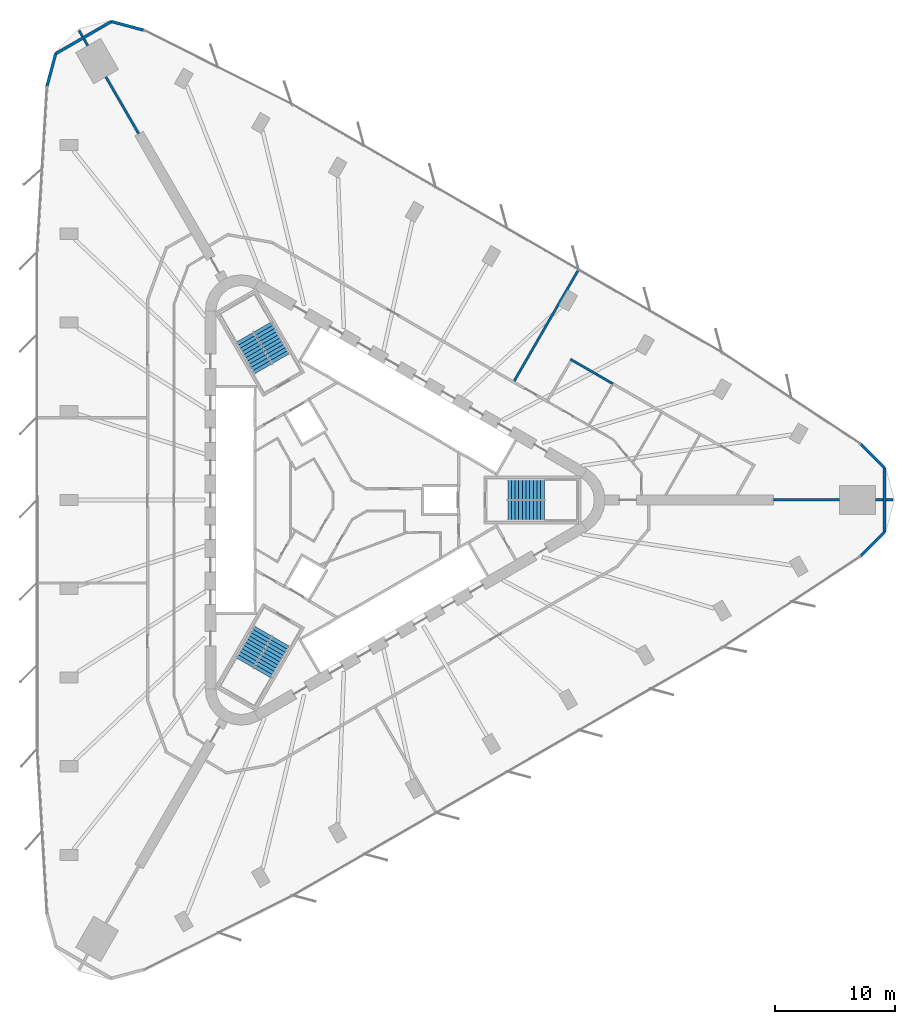
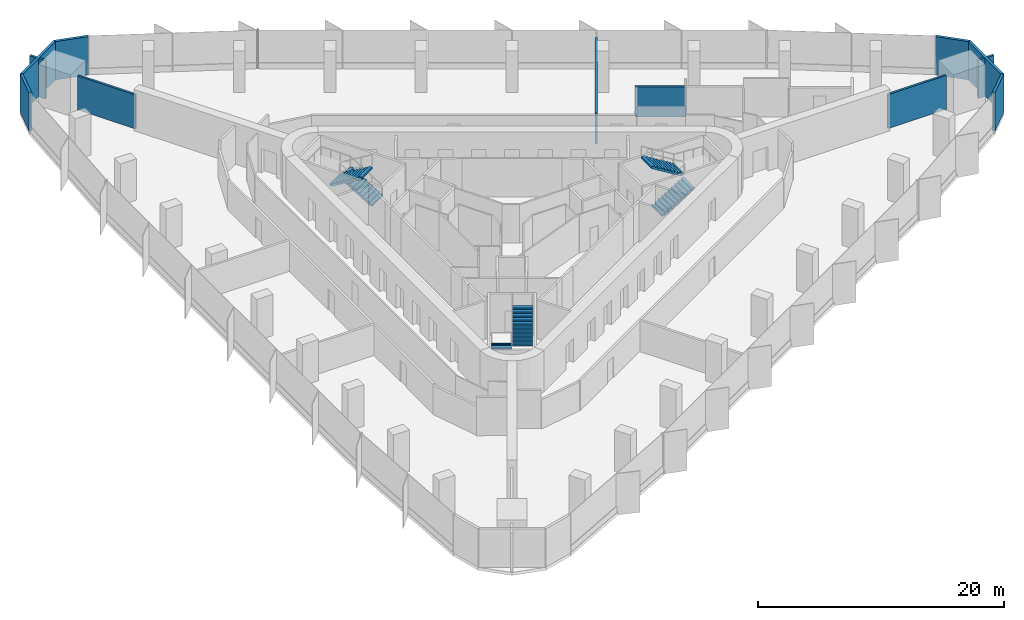
# One storey, part 13 of 14: 14 walls, 6 stair flights, 3 elements without a shape of their own.
"""IFC4 building model written with IfcOpenShell, lengths in metres."""

from ifc_helpers import new_model, si_unit, direction, frame, frame_2d, origin, place, context, subcontext, project, spatial, polyline, rectangle, outline, extrude, material, layer, layer_set, type_object, element, aggregate, save


model = new_model("IFC4")

# Units and contexts
model_context = context("Model", 3, precision=1e-05, world=origin(), true_north=direction((0.0, 1.0)))
body_context = subcontext(model_context, "Body", "Model", "MODEL_VIEW")
ifc_project = project(units=[si_unit("LENGTHUNIT", "METRE"), si_unit("AREAUNIT", "SQUARE_METRE"), si_unit("VOLUMEUNIT", "CUBIC_METRE"), si_unit("PLANEANGLEUNIT", "RADIAN"), si_unit("MASSUNIT", "GRAM", prefix="KILO")], contexts=[model_context])

# Site, building, storey
site_placement = place(None, origin())
site = spatial("IfcSite", under=ifc_project, at=site_placement, CompositionType="ELEMENT")
building_placement = place(site_placement, origin())
building = spatial("IfcBuilding", under=site, at=building_placement, Name="Tanit Gate Tower", CompositionType="ELEMENT")
storey_placement = place(building_placement, frame((0.0, 0.0, 45.5)))
storey = spatial("IfcBuildingStorey", under=building, at=storey_placement, Name="L07", CompositionType="ELEMENT", Elevation=45.5)

# Walls
ifc_material_1 = material(Name="Concrete C30/37 with bronze anodised aluminium cladding", Category="concrete")
ifc_layer_1 = layer(ifc_material_1, 0.239990234375)
ifc_layer_set_1 = layer_set([ifc_layer_1], Name="Facade wall bronze clad 240")
wall_type_1 = type_object("IfcWallType", Name="Facade wall bronze clad 240", PredefinedType="SOLIDWALL", material=ifc_layer_set_1)
wall_1_placement = place(storey_placement, frame((-17.202880859375, 39.1279296875, 0.0), z_axis=(0.0, 0.0, 1.0), x_axis=(-0.965923146675, 0.25882904535, 0.0)))
element("IfcWall", 1, at=wall_1_placement, inside=storey, type_object=wall_type_1, Name="Bronze-clad facade wall L07 NW.arc1", PredefinedType="SOLIDWALL", context=body_context, shape_type="SweptSolid", body=[
    extrude(rectangle(XDim=2.800537109375, YDim=0.239990234375, at=frame_2d((1.400390625, 0.0))), origin(), (0.0, 0.0, 1.0), 3.800048828125),
])
wall_2_placement = place(storey_placement, frame((-19.907958984375, 39.852783203125, 0.0), z_axis=(0.0, 0.0, 1.0), x_axis=(-0.866010734295, -0.500025407441, 0.0)))
element("IfcWall", 2, at=wall_2_placement, inside=storey, type_object=wall_type_1, Name="Bronze-clad facade wall L07 NW.arc2", PredefinedType="SOLIDWALL", context=body_context, shape_type="SweptSolid", body=[
    extrude(rectangle(XDim=5.371337890625, YDim=0.239990234375, at=frame_2d((2.685546875, 0.0))), origin(), (0.0, 0.0, 1.0), 3.800048828125),
])
wall_3_placement = place(storey_placement, frame((-24.5595703125, 37.1669921875, 0.0), z_axis=(0.0, 0.0, 1.0), x_axis=(-0.258850842196, -0.965917305723, 0.0)))
element("IfcWall", 3, at=wall_3_placement, inside=storey, type_object=wall_type_1, Name="Bronze-clad facade wall L07 NW.arc3", PredefinedType="SOLIDWALL", context=body_context, shape_type="SweptSolid", body=[
    extrude(rectangle(XDim=2.80029296875, YDim=0.239990234375, at=frame_2d((1.400146484375, 0.0))), origin(), (0.0, 0.0, 1.0), 3.800048828125),
])
wall_4_placement = place(storey_placement, frame((42.4873046875, -4.665771484375, 0.0), z_axis=(0.0, 0.0, 1.0), x_axis=(0.707106781187, 0.707106781187, 0.0)))
element("IfcWall", 4, at=wall_4_placement, inside=storey, type_object=wall_type_1, Name="Bronze-clad facade wall L07 E.arc1", PredefinedType="SOLIDWALL", context=body_context, shape_type="SweptSolid", body=[
    extrude(rectangle(XDim=2.800537109375, YDim=0.239990234375, at=frame_2d((1.400390625, 0.0))), origin(), (0.0, 0.0, 1.0), 3.800048828125),
])
wall_5_placement = place(storey_placement, frame((44.467529296875, -2.685546875, 0.0), z_axis=(0.0, 0.0, 1.0), x_axis=(0.0, 1.0, 0.0)))
element("IfcWall", 5, at=wall_5_placement, inside=storey, type_object=wall_type_1, Name="Bronze-clad facade wall L07 E.arc2", PredefinedType="SOLIDWALL", context=body_context, shape_type="SweptSolid", body=[
    extrude(rectangle(XDim=5.37109375, YDim=0.239990234375, at=frame_2d((2.685546875, 0.0))), origin(), (0.0, 0.0, 1.0), 3.800048828125),
])
wall_6_placement = place(storey_placement, frame((44.467529296875, 2.685546875, 0.0), z_axis=(0.0, 0.0, 1.0), x_axis=(-0.707106781187, 0.707106781187, 0.0)))
element("IfcWall", 6, at=wall_6_placement, inside=storey, type_object=wall_type_1, Name="Bronze-clad facade wall L07 E.arc3", PredefinedType="SOLIDWALL", context=body_context, shape_type="SweptSolid", body=[
    extrude(rectangle(XDim=2.800537109375, YDim=0.239990234375, at=frame_2d((1.400390625, 0.0))), origin(), (0.0, 0.0, 1.0), 3.800048828125),
])
ifc_material_2 = material(Name="Fire-rated gypsum board partition")
ifc_layer_2 = layer(ifc_material_2, 0.199951171875)
ifc_layer_set_2 = layer_set([ifc_layer_2], Name="INT-WALL-COMPARTMENT")
wall_type_2 = type_object("IfcWallType", Name="INT-WALL-COMPARTMENT", PredefinedType="PARTITIONING", material=ifc_layer_set_2)
wall_7_placement = place(storey_placement, frame((-22.615478515625, 39.111083984375, 0.0), z_axis=(0.0, 0.0, 1.0), x_axis=(0.500222587251, -0.865896854829, 0.0)))
element("IfcWall", 7, at=wall_7_placement, inside=storey, type_object=wall_type_2, Name="Wall Compartment W119", PredefinedType="PARTITIONING", context=body_context, shape_type="SweptSolid", body=[
    extrude(rectangle(XDim=0.591552734375, YDim=0.199951171875, at=frame_2d((0.2958984375, 0.0))), origin(), (0.0, 0.0, 1.0), 3.800048828125),
])
wall_8_placement = place(storey_placement, frame((-22.19970703125, 38.39111328125, 0.0), z_axis=(0.0, 0.0, 1.0), x_axis=(0.499977104415, -0.866038622153, 0.0)))
element("IfcWall", 8, at=wall_8_placement, inside=storey, type_object=wall_type_2, Name="Wall Compartment W119x1", PredefinedType="PARTITIONING", context=body_context, shape_type="SweptSolid", body=[
    extrude(rectangle(XDim=0.63623046875, YDim=0.199951171875, at=frame_2d((0.318115234375, 0.0))), origin(), (0.0, 0.0, 1.0), 3.800048828125),
])
wall_9_placement = place(storey_placement, frame((-20.381591796875, 35.241943359375, 0.0), z_axis=(0.0, 0.0, 1.0), x_axis=(0.499984217882, -0.866034515403, 0.0)))
element("IfcWall", 9, at=wall_9_placement, inside=storey, type_object=wall_type_2, Name="Wall Compartment W120", PredefinedType="PARTITIONING", context=body_context, shape_type="SweptSolid", body=[
    extrude(rectangle(XDim=5.463134765625, YDim=0.199951171875, at=frame_2d((2.7314453125, 0.0))), origin(), (0.0, 0.0, 1.0), 3.3701171875),
])
wall_10_placement = place(storey_placement, frame((13.634521484375, 9.91064453125, 0.0), z_axis=(0.0, 0.0, 1.0), x_axis=(0.499942170756, 0.86605878894, 0.0)))
element("IfcWall", 10, at=wall_10_placement, inside=storey, type_object=wall_type_2, Name="Wall Compartment W121", PredefinedType="PARTITIONING", context=body_context, shape_type="SweptSolid", body=[
    extrude(rectangle(XDim=10.708740234375, YDim=0.199951171875, at=frame_2d((5.3544921875, 0.0))), origin(), (0.0, 0.0, 1.0), 3.080078125),
])
wall_11_placement = place(storey_placement, frame((45.178955078125, 0.030029296875, 0.0), z_axis=(0.0, 0.0, 1.0), x_axis=(-1.0, 0.0, 0.0)))
element("IfcWall", 11, at=wall_11_placement, inside=storey, type_object=wall_type_2, Name="Wall Compartment W123", PredefinedType="PARTITIONING", context=body_context, shape_type="SweptSolid", body=[
    extrude(rectangle(XDim=0.591552734375, YDim=0.199951171875, at=frame_2d((0.2958984375, 0.0))), origin(), (0.0, 0.0, 1.0), 3.800048828125),
])
wall_12_placement = place(storey_placement, frame((44.347412109375, 0.030029296875, 0.0), z_axis=(0.0, 0.0, 1.0), x_axis=(-1.0, 0.0, 0.0)))
element("IfcWall", 12, at=wall_12_placement, inside=storey, type_object=wall_type_2, Name="Wall Compartment W123x1", PredefinedType="PARTITIONING", context=body_context, shape_type="SweptSolid", body=[
    extrude(rectangle(XDim=0.63623046875, YDim=0.199951171875, at=frame_2d((0.318115234375, 0.0))), origin(), (0.0, 0.0, 1.0), 3.800048828125),
])
wall_13_placement = place(storey_placement, frame((40.711181640625, 0.030029296875, 0.0), z_axis=(0.0, 0.0, 1.0), x_axis=(-1.0, 0.0, 0.0)))
element("IfcWall", 13, at=wall_13_placement, inside=storey, type_object=wall_type_2, Name="Wall Compartment W122", PredefinedType="PARTITIONING", context=body_context, shape_type="SweptSolid", body=[
    extrude(rectangle(XDim=5.463134765625, YDim=0.199951171875, at=frame_2d((2.7314453125, 0.0))), origin(), (0.0, 0.0, 1.0), 3.3701171875),
])
wall_14_placement = place(storey_placement, frame((18.315185546875, 11.722900390625, 0.0), z_axis=(0.0, 0.0, 1.0), x_axis=(0.866048124097, -0.4999606452, 0.0)))
element("IfcWall", 14, at=wall_14_placement, inside=storey, type_object=wall_type_2, Name="Wall Compartment W124", PredefinedType="PARTITIONING", context=body_context, shape_type="SweptSolid", body=[
    extrude(rectangle(XDim=4.081298828125, YDim=0.199951171875, at=frame_2d((2.04052734375, 0.0))), origin(), (0.0, 0.0, 1.0), 2.97998046875),
])

# Stair, stair flights
ifc_material_3 = material(Name="Concrete C40/50", Category="concrete")
stair_type = type_object("IfcStairType", Name="INT-STAIR-EXIT", PredefinedType="HALF_TURN_STAIR", material=ifc_material_3)
stair_1_placement = place(storey_placement, origin())
stair_1 = element("IfcStair", 15, at=stair_1_placement, inside=storey, type_object=stair_type, Name="L07 STAIR S1", PredefinedType="HALF_TURN_STAIR")
ifc_material_4 = material(Name="Concrete C40/50", Category="concrete")
stair_flight_type = type_object("IfcStairFlightType", Name="INT-STAIR-FLIGHT", PredefinedType="STRAIGHT", material=ifc_material_4)
stair_flight_1_placement = place(storey_placement, frame((13.094970703125, -0.8525390625, 0.0), z_axis=(0.0, 0.0, 1.0), x_axis=(1.0, 0.0, 0.0)))
stair_flight_1 = element("IfcStairFlight", 16, at=stair_flight_1_placement, type_object=stair_flight_type, Name="S1 flight 1", NumberOfRisers=11, NumberOfTreads=10, PredefinedType="STRAIGHT", RiserHeight=0.186363636, TreadLength=0.3051, context=body_context, shape_type="SweptSolid", body=[
    extrude(outline(polyline([(0.0, 0.0), (0.0, 0.186279296875), (0.30517578125, 0.186279296875), (0.30517578125, 0.372802734375), (0.610107421875, 0.372802734375), (0.610107421875, 0.55908203125), (0.915283203125, 0.55908203125), (0.915283203125, 0.745361328125), (1.220458984375, 0.745361328125), (1.220458984375, 0.931884765625), (1.525390625, 0.931884765625), (1.525390625, 1.1181640625), (1.83056640625, 1.1181640625), (1.83056640625, 1.304443359375), (2.1357421875, 1.304443359375), (2.1357421875, 1.490966796875), (2.44091796875, 1.490966796875), (2.44091796875, 1.67724609375), (2.745849609375, 1.67724609375), (2.745849609375, 1.863525390625), (3.051025390625, 1.863525390625), (3.051025390625, 2.050048828125), (3.051025390625, 1.68798828125), (0.28759765625, 0.0), (0.0, 0.0)])), frame((0.0, 0.84765625, 0.0), z_axis=(0.0, -1.0, 0.0), x_axis=(1.0, 0.0, 0.0)), (0.0, 0.0, 1.0), 1.695068359375),
])
stair_flight_2_placement = place(storey_placement, frame((16.14599609375, 0.8525390625, 2.050048828125), z_axis=(0.0, 0.0, 1.0), x_axis=(-1.0, 0.0, 0.0)))
stair_flight_2 = element("IfcStairFlight", 17, at=stair_flight_2_placement, type_object=stair_flight_type, Name="S1 flight 2", NumberOfRisers=11, NumberOfTreads=10, PredefinedType="STRAIGHT", RiserHeight=0.186363636, TreadLength=0.3051, context=body_context, shape_type="SweptSolid", body=[
    extrude(outline(polyline([(0.0, 0.0), (0.0, 0.186279296875), (0.30517578125, 0.186279296875), (0.30517578125, 0.372802734375), (0.610107421875, 0.372802734375), (0.610107421875, 0.55908203125), (0.915283203125, 0.55908203125), (0.915283203125, 0.745361328125), (1.220458984375, 0.745361328125), (1.220458984375, 0.931884765625), (1.525390625, 0.931884765625), (1.525390625, 1.1181640625), (1.83056640625, 1.1181640625), (1.83056640625, 1.304443359375), (2.1357421875, 1.304443359375), (2.1357421875, 1.490966796875), (2.44091796875, 1.490966796875), (2.44091796875, 1.67724609375), (2.745849609375, 1.67724609375), (2.745849609375, 1.863525390625), (3.051025390625, 1.863525390625), (3.051025390625, 2.050048828125), (3.051025390625, 1.68798828125), (0.28759765625, 0.0), (0.0, 0.0)])), frame((0.0, 0.84765625, 0.0), z_axis=(0.0, -1.0, 0.0), x_axis=(1.0, 0.0, 0.0)), (0.0, 0.0, 1.0), 1.695068359375),
])
aggregate(stair_1, [stair_flight_1, stair_flight_2])

stair_2_placement = place(storey_placement, origin())
stair_2 = element("IfcStair", 18, at=stair_2_placement, inside=storey, type_object=stair_type, Name="L07 STAIR S2", PredefinedType="HALF_TURN_STAIR")
stair_flight_3_placement = place(storey_placement, frame((-5.808349609375, 11.766357421875, 0.0), z_axis=(0.0, 0.0, 1.0), x_axis=(-0.5, 0.866025403784, 0.0)))
stair_flight_3 = element("IfcStairFlight", 19, at=stair_flight_3_placement, type_object=stair_flight_type, Name="S2 flight 1", NumberOfRisers=11, NumberOfTreads=10, PredefinedType="STRAIGHT", RiserHeight=0.186363636, TreadLength=0.30492, context=body_context, shape_type="SweptSolid", body=[
    extrude(outline(polyline([(0.0, 0.0), (0.0, 0.186279296875), (0.304931640625, 0.186279296875), (0.304931640625, 0.372802734375), (0.60986328125, 0.372802734375), (0.60986328125, 0.55908203125), (0.914794921875, 0.55908203125), (0.914794921875, 0.745361328125), (1.2197265625, 0.745361328125), (1.2197265625, 0.931884765625), (1.524658203125, 0.931884765625), (1.524658203125, 1.1181640625), (1.82958984375, 1.1181640625), (1.82958984375, 1.304443359375), (2.134521484375, 1.304443359375), (2.134521484375, 1.490966796875), (2.439453125, 1.490966796875), (2.439453125, 1.67724609375), (2.744384765625, 1.67724609375), (2.744384765625, 1.863525390625), (3.04931640625, 1.863525390625), (3.04931640625, 2.050048828125), (3.04931640625, 1.68798828125), (0.287353515625, 0.0), (0.0, 0.0)])), frame((0.0, 0.84716796875, 0.0), z_axis=(0.0, -1.0, 0.0), x_axis=(1.0, 0.0, 0.0)), (0.0, 0.0, 1.0), 1.694091796875),
])
stair_flight_4_placement = place(storey_placement, frame((-8.810302734375, 13.553955078125, 2.050048828125), z_axis=(0.0, 0.0, 1.0), x_axis=(0.5, -0.866025403784, 0.0)))
stair_flight_4 = element("IfcStairFlight", 20, at=stair_flight_4_placement, type_object=stair_flight_type, Name="S2 flight 2", NumberOfRisers=11, NumberOfTreads=10, PredefinedType="STRAIGHT", RiserHeight=0.186363636, TreadLength=0.30492, context=body_context, shape_type="SweptSolid", body=[
    extrude(outline(polyline([(0.0, 0.0), (0.0, 0.186279296875), (0.304931640625, 0.186279296875), (0.304931640625, 0.372802734375), (0.60986328125, 0.372802734375), (0.60986328125, 0.55908203125), (0.914794921875, 0.55908203125), (0.914794921875, 0.745361328125), (1.2197265625, 0.745361328125), (1.2197265625, 0.931884765625), (1.524658203125, 0.931884765625), (1.524658203125, 1.1181640625), (1.82958984375, 1.1181640625), (1.82958984375, 1.304443359375), (2.134521484375, 1.304443359375), (2.134521484375, 1.490966796875), (2.439453125, 1.490966796875), (2.439453125, 1.67724609375), (2.744384765625, 1.67724609375), (2.744384765625, 1.863525390625), (3.04931640625, 1.863525390625), (3.04931640625, 2.050048828125), (3.04931640625, 1.68798828125), (0.287353515625, 0.0), (0.0, 0.0)])), frame((0.0, 0.84716796875, 0.0), z_axis=(0.0, -1.0, 0.0), x_axis=(1.0, 0.0, 0.0)), (0.0, 0.0, 1.0), 1.694091796875),
])
aggregate(stair_2, [stair_flight_3, stair_flight_4])

stair_3_placement = place(storey_placement, origin())
stair_3 = element("IfcStair", 21, at=stair_3_placement, inside=storey, type_object=stair_type, Name="L07 STAIR S3", PredefinedType="HALF_TURN_STAIR")
stair_flight_5_placement = place(storey_placement, frame((-7.285888671875, -10.914306640625, 0.0), z_axis=(0.0, 0.0, 1.0), x_axis=(-0.5, -0.866025403784, 0.0)))
stair_flight_5 = element("IfcStairFlight", 22, at=stair_flight_5_placement, type_object=stair_flight_type, Name="S3 flight 1", NumberOfRisers=11, NumberOfTreads=10, PredefinedType="STRAIGHT", RiserHeight=0.186363636, TreadLength=0.3051, context=body_context, shape_type="SweptSolid", body=[
    extrude(outline(polyline([(0.0, 0.0), (0.0, 0.186279296875), (0.30517578125, 0.186279296875), (0.30517578125, 0.372802734375), (0.610107421875, 0.372802734375), (0.610107421875, 0.55908203125), (0.915283203125, 0.55908203125), (0.915283203125, 0.745361328125), (1.220458984375, 0.745361328125), (1.220458984375, 0.931884765625), (1.525390625, 0.931884765625), (1.525390625, 1.1181640625), (1.83056640625, 1.1181640625), (1.83056640625, 1.304443359375), (2.1357421875, 1.304443359375), (2.1357421875, 1.490966796875), (2.44091796875, 1.490966796875), (2.44091796875, 1.67724609375), (2.745849609375, 1.67724609375), (2.745849609375, 1.863525390625), (3.051025390625, 1.863525390625), (3.051025390625, 2.050048828125), (3.051025390625, 1.68798828125), (0.28759765625, 0.0), (0.0, 0.0)])), frame((0.0, 0.84765625, 0.0), z_axis=(0.0, -1.0, 0.0), x_axis=(1.0, 0.0, 0.0)), (0.0, 0.0, 1.0), 1.695068359375),
])
stair_flight_6_placement = place(storey_placement, frame((-7.334716796875, -14.4091796875, 2.050048828125), z_axis=(0.0, 0.0, 1.0), x_axis=(0.5, 0.866025403784, 0.0)))
stair_flight_6 = element("IfcStairFlight", 23, at=stair_flight_6_placement, type_object=stair_flight_type, Name="S3 flight 2", NumberOfRisers=11, NumberOfTreads=10, PredefinedType="STRAIGHT", RiserHeight=0.186363636, TreadLength=0.3051, context=body_context, shape_type="SweptSolid", body=[
    extrude(outline(polyline([(0.0, 0.0), (0.0, 0.186279296875), (0.30517578125, 0.186279296875), (0.30517578125, 0.372802734375), (0.610107421875, 0.372802734375), (0.610107421875, 0.55908203125), (0.915283203125, 0.55908203125), (0.915283203125, 0.745361328125), (1.220458984375, 0.745361328125), (1.220458984375, 0.931884765625), (1.525390625, 0.931884765625), (1.525390625, 1.1181640625), (1.83056640625, 1.1181640625), (1.83056640625, 1.304443359375), (2.1357421875, 1.304443359375), (2.1357421875, 1.490966796875), (2.44091796875, 1.490966796875), (2.44091796875, 1.67724609375), (2.745849609375, 1.67724609375), (2.745849609375, 1.863525390625), (3.051025390625, 1.863525390625), (3.051025390625, 2.050048828125), (3.051025390625, 1.68798828125), (0.28759765625, 0.0), (0.0, 0.0)])), frame((0.0, 0.84765625, 0.0), z_axis=(0.0, -1.0, 0.0), x_axis=(1.0, 0.0, 0.0)), (0.0, 0.0, 1.0), 1.695068359375),
])
aggregate(stair_3, [stair_flight_5, stair_flight_6])

save(model, "model.ifc")
